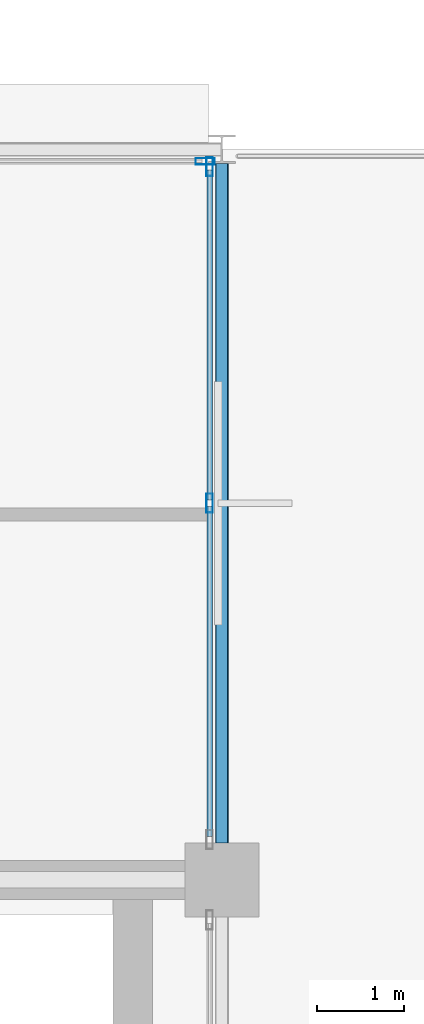
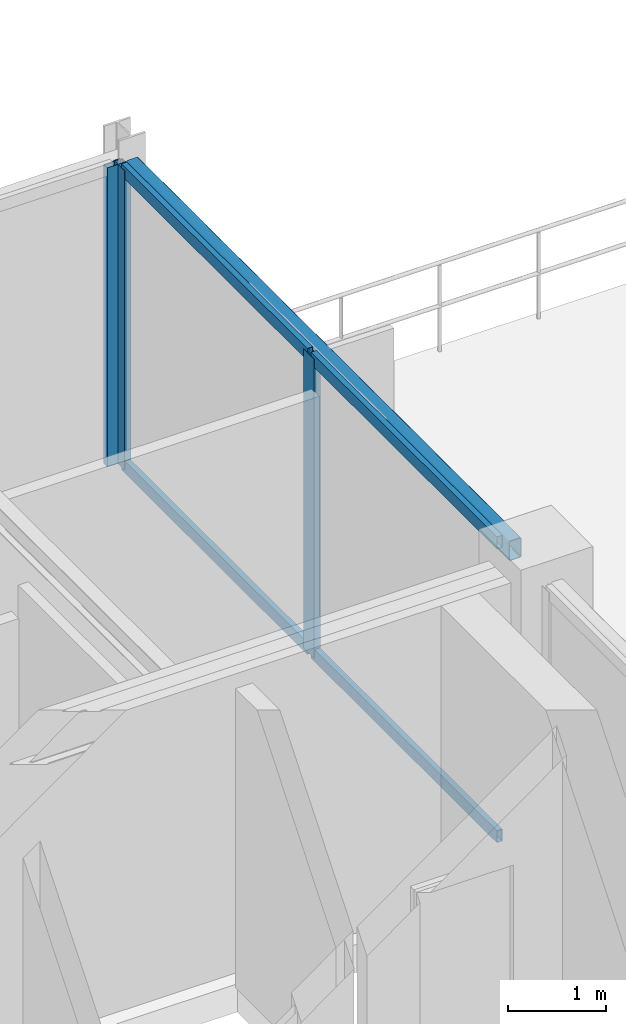
# One storey, part 12 of 23: 7 members, 1 beam, 2 elements without a shape of their own.
"""IFC4 building model written with IfcOpenShell, lengths in metres."""

from ifc_helpers import new_model, si_unit, direction, frame, origin, origin_2d, place, context, subcontext, project, spatial, hollow_rectangle, extrude, material, layer, layer_set, material_profile, profile_set, type_object, element, aggregate, save


model = new_model("IFC4")

# Units and contexts
model_context = context("Model", 3, precision=1e-05, world=origin(), true_north=direction((0.0, 1.0)))
body_context = subcontext(model_context, "Body", "Model", "MODEL_VIEW")
ifc_project = project(units=[si_unit("LENGTHUNIT", "METRE"), si_unit("AREAUNIT", "SQUARE_METRE"), si_unit("VOLUMEUNIT", "CUBIC_METRE"), si_unit("PLANEANGLEUNIT", "RADIAN"), si_unit("MASSUNIT", "GRAM", prefix="KILO")], contexts=[model_context])

# Site, building, storey
site_placement = place(None, origin())
site = spatial("IfcSite", under=ifc_project, at=site_placement, CompositionType="ELEMENT")
building_placement = place(site_placement, origin())
building = spatial("IfcBuilding", under=site, at=building_placement, Name="Nerrivon Quay Data Exchange", CompositionType="ELEMENT")
storey_placement = place(building_placement, frame((0.0, 0.0, 286.199951171875)))
storey = spatial("IfcBuildingStorey", under=building, at=storey_placement, Name="L68", CompositionType="ELEMENT", Elevation=286.199951171875)

# Beam
ifc_material_1 = material(Name="Steel Grade C350L0 (350 MPa)", Category="steel")
ifc_material_profile_1 = material_profile(ifc_material_1, hollow_rectangle(XDim=0.14990234375, YDim=0.25, WallThickness=0.009033203125, InnerFilletRadius=0.013427734375, OuterFilletRadius=0.0224609375, at=origin_2d()), Name="250x150x9.0RHS")
ifc_profile_set_1 = profile_set([ifc_material_profile_1], Name="Steel Grade C350L0 (350 MPa)")
beam_type = type_object("IfcBeamType", Name="BM-SP4-250x150RHS", PredefinedType="SPANDREL", material=ifc_profile_set_1)
beam_placement = place(storey_placement, frame((33.60009765625, 17.22509765625, 3.60009765625), z_axis=(0.0, 1.0, 0.0), x_axis=(-1.0, 0.0, 0.0)))
element("IfcBeam", 1, at=beam_placement, inside=storey, type_object=beam_type, Name="L68 NS Girder X=33.6 (16.8..25.2)", PredefinedType="SPANDREL", context=body_context, shape_type="SweptSolid", body=[
    extrude(hollow_rectangle(XDim=0.14990234375, YDim=0.25, WallThickness=0.009033203125, InnerFilletRadius=0.013427734375, OuterFilletRadius=0.0224609375, at=origin_2d()), origin(), (0.0, 0.0, 1.0), 7.8115234375),
])

# Curtain wall, member
ifc_material_2 = material(Name="Anodised aluminium 6063-T6", Category="aluminium")
ifc_layer = layer(ifc_material_2, 0.22998046875)
ifc_layer_set = layer_set([ifc_layer], Name="Anodised aluminium 6063-T6")
curtain_wall_type = type_object("IfcCurtainWallType", Name="CW-SYS-05", PredefinedType="NOTDEFINED", material=ifc_layer_set)
curtain_wall_1_placement = place(storey_placement, origin())
curtain_wall_1 = element("IfcCurtainWall", 2, at=curtain_wall_1_placement, inside=storey, type_object=curtain_wall_type, Name="L68 Unitised Curtain Wall 23", PredefinedType="NOTDEFINED")
ifc_material_profile_2 = material_profile(ifc_material_2, hollow_rectangle(XDim=0.074951171875, YDim=0.219970703125, WallThickness=0.00390625, at=origin_2d()), Name="ALU-MULL-220x75")
ifc_profile_set_2 = profile_set([ifc_material_profile_2], Name="Anodised aluminium 6063-T6")
member_type_1 = type_object("IfcMemberType", Name="CWM-220x75", PredefinedType="MULLION", material=ifc_profile_set_2)
member_1_placement = place(storey_placement, frame((33.406982421875, 25.06005859375, 0.0), z_axis=(0.0, 0.0, 1.0), x_axis=(0.0, 1.0, 0.0)))
member_1 = element("IfcMember", 3, at=member_1_placement, type_object=member_type_1, Name="CW05 mullion 3", PredefinedType="MULLION", context=body_context, shape_type="SweptSolid", body=[
    extrude(hollow_rectangle(XDim=0.074951171875, YDim=0.219970703125, WallThickness=0.00390625, at=origin_2d()), origin(), (0.0, 0.0, 1.0), 3.72509765625),
])
aggregate(curtain_wall_1, [member_1])

# Curtain wall, members
curtain_wall_2_placement = place(storey_placement, origin())
curtain_wall_2 = element("IfcCurtainWall", 4, at=curtain_wall_2_placement, inside=storey, type_object=curtain_wall_type, Name="L68 Unitised Curtain Wall 24", PredefinedType="NOTDEFINED")
member_2_placement = place(storey_placement, frame((33.4599609375, 24.9990234375, 0.0), z_axis=(0.0, 0.0, 1.0), x_axis=(1.0, 0.0, 0.0)))
member_2 = element("IfcMember", 5, at=member_2_placement, type_object=member_type_1, Name="CW05 mullion 1", PredefinedType="MULLION", context=body_context, shape_type="SweptSolid", body=[
    extrude(hollow_rectangle(XDim=0.074951171875, YDim=0.219970703125, WallThickness=0.00390625, at=origin_2d()), origin(), (0.0, 0.0, 1.0), 3.72509765625),
])
member_3_placement = place(storey_placement, frame((33.4599609375, 21.130859375, 0.0), z_axis=(0.0, 0.0, 1.0), x_axis=(1.0, 0.0, 0.0)))
member_3 = element("IfcMember", 6, at=member_3_placement, type_object=member_type_1, Name="CW05 mullion 2", PredefinedType="MULLION", context=body_context, shape_type="SweptSolid", body=[
    extrude(hollow_rectangle(XDim=0.074951171875, YDim=0.219970703125, WallThickness=0.00390625, at=origin_2d()), origin(), (0.0, 0.0, 1.0), 3.72509765625),
])
ifc_material_profile_3 = material_profile(ifc_material_2, hollow_rectangle(XDim=0.06494140625, YDim=0.14990234375, WallThickness=0.00341796875, at=origin_2d()), Name="ALU-TRAN-150x65")
ifc_profile_set_3 = profile_set([ifc_material_profile_3], Name="Anodised aluminium 6063-T6")
member_type_2 = type_object("IfcMemberType", Name="CWT-150x65", PredefinedType="USERDEFINED", material=ifc_profile_set_3)
member_4_placement = place(storey_placement, frame((33.4599609375, 24.96142578125, 0.032470703125), z_axis=(0.0, -1.0, 0.0), x_axis=(1.0, 0.0, 0.0)))
member_4 = element("IfcMember", 7, at=member_4_placement, type_object=member_type_2, Name="CW05 transom 1.1", ObjectType="TRANSOM", PredefinedType="USERDEFINED", context=body_context, shape_type="SweptSolid", body=[
    extrude(hollow_rectangle(XDim=0.06494140625, YDim=0.14990234375, WallThickness=0.00341796875, at=origin_2d()), origin(), (0.0, 0.0, 1.0), 3.793212890625),
])
member_5_placement = place(storey_placement, frame((33.4599609375, 24.96142578125, 3.692626953125), z_axis=(0.0, -1.0, 0.0), x_axis=(1.0, 0.0, 0.0)))
member_5 = element("IfcMember", 8, at=member_5_placement, type_object=member_type_2, Name="CW05 transom 1.2", ObjectType="TRANSOM", PredefinedType="USERDEFINED", context=body_context, shape_type="SweptSolid", body=[
    extrude(hollow_rectangle(XDim=0.06494140625, YDim=0.14990234375, WallThickness=0.00341796875, at=origin_2d()), origin(), (0.0, 0.0, 1.0), 3.793212890625),
])
member_6_placement = place(storey_placement, frame((33.4599609375, 21.09326171875, 0.032470703125), z_axis=(0.0, -1.0, 0.0), x_axis=(1.0, 0.0, 0.0)))
member_6 = element("IfcMember", 9, at=member_6_placement, type_object=member_type_2, Name="CW05 transom 2.1", ObjectType="TRANSOM", PredefinedType="USERDEFINED", context=body_context, shape_type="SweptSolid", body=[
    extrude(hollow_rectangle(XDim=0.06494140625, YDim=0.14990234375, WallThickness=0.00341796875, at=origin_2d()), origin(), (0.0, 0.0, 1.0), 3.793212890625),
])
member_7_placement = place(storey_placement, frame((33.4599609375, 21.09326171875, 3.692626953125), z_axis=(0.0, -1.0, 0.0), x_axis=(1.0, 0.0, 0.0)))
member_7 = element("IfcMember", 10, at=member_7_placement, type_object=member_type_2, Name="CW05 transom 2.2", ObjectType="TRANSOM", PredefinedType="USERDEFINED", context=body_context, shape_type="SweptSolid", body=[
    extrude(hollow_rectangle(XDim=0.06494140625, YDim=0.14990234375, WallThickness=0.00341796875, at=origin_2d()), origin(), (0.0, 0.0, 1.0), 3.793212890625),
])
aggregate(curtain_wall_2, [member_2, member_3, member_4, member_5, member_6, member_7])

save(model, "model.ifc")
